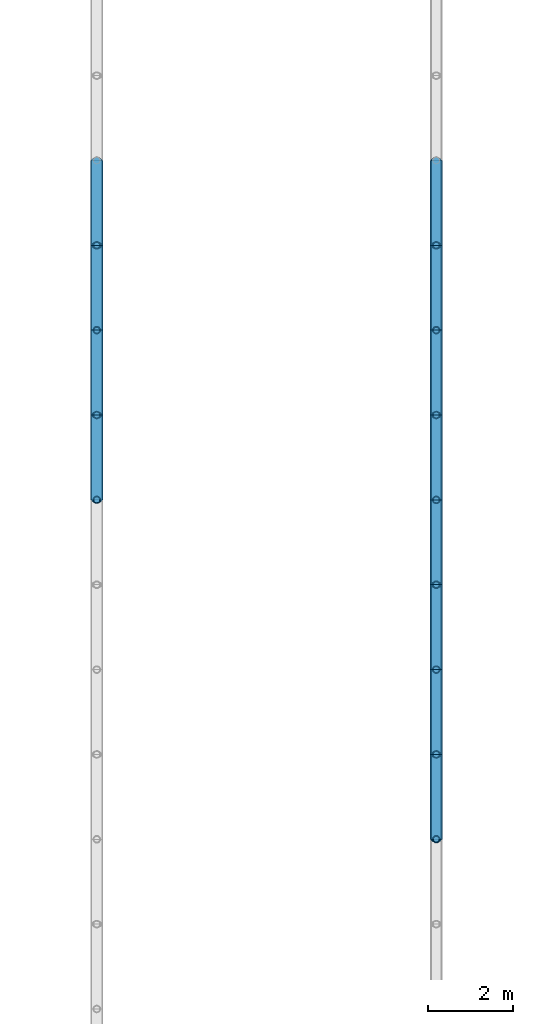
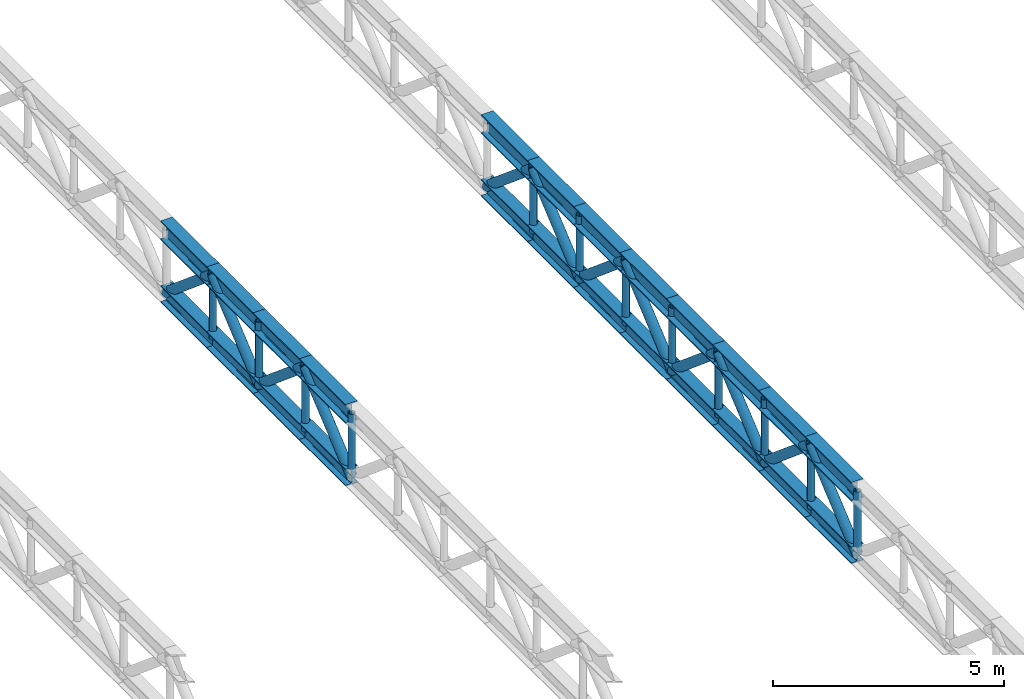
# One storey, part 17 of 67: 48 members.
"""IFC4 building model written with IfcOpenShell, lengths in metres."""

from ifc_helpers import new_model, si_unit, derived_unit, direction, frame, origin, origin_2d, place, context, subcontext, project, spatial, hollow_circle, i_section, extrude, material, material_profile, profile_set, type_object, element, save


model = new_model("IFC4")

# Units and contexts
model_context = context("Model", 3, precision=1e-05, world=origin(), true_north=direction((0.0, 1.0)))
body_context = subcontext(model_context, "Body", "Model", "MODEL_VIEW")
ifc_project = project(units=[si_unit("LENGTHUNIT", "METRE"), si_unit("AREAUNIT", "SQUARE_METRE"), si_unit("VOLUMEUNIT", "CUBIC_METRE"), si_unit("PLANEANGLEUNIT", "RADIAN"), si_unit("MASSUNIT", "GRAM", prefix="KILO"), derived_unit("THERMALTRANSMITTANCEUNIT", [(si_unit("POWERUNIT", "WATT"), 1), (si_unit("LENGTHUNIT", "METRE"), -2), (si_unit("THERMODYNAMICTEMPERATUREUNIT", "KELVIN"), -1)])], contexts=[model_context])

# Site, building, storey
site_placement = place(None, origin())
site = spatial("IfcSite", under=ifc_project, at=site_placement, CompositionType="ELEMENT")
building_placement = place(site_placement, origin())
building = spatial("IfcBuilding", under=site, at=building_placement, Name="Keldorne Ridge Multi-Sports Centre", CompositionType="ELEMENT")
storey_placement = place(building_placement, frame((0.0, 0.0, 14.0)))
storey = spatial("IfcBuildingStorey", under=building, at=storey_placement, Name="L03", CompositionType="ELEMENT", Elevation=14.0)

# Members
ifc_material = material(Name="Steel S355", Category="steel")
ifc_material_profile_1 = material_profile(ifc_material, i_section(OverallWidth=0.300048828125, OverallDepth=0.5, WebThickness=0.014404296875, FlangeThickness=0.028076171875, FilletRadius=0.027099609375, at=origin_2d()), Name="HEB 500")
ifc_profile_set_1 = profile_set([ifc_material_profile_1], Name="Steel S355")
member_type_1 = type_object("IfcMemberType", Name="MEM-TC-03", PredefinedType="CHORD", material=ifc_profile_set_1)
for number, where, z_axis, x_axis, name in (
    (1, (120.0, 30.0, 4.110107421875), (0.0, 1.0, 0.0), (-1.0, 0.0, 0.0), "Stacked Courts Warren TRUSS WT-L04-03 top chord 13"),
    (2, (120.0, 32.0, 4.110107421875), (0.0, 1.0, 0.0), (-1.0, 0.0, 0.0), "Stacked Courts Warren TRUSS WT-L04-03 top chord 14"),
    (3, (120.0, 34.0, 4.110107421875), (0.0, 1.0, 0.0), (-1.0, 0.0, 0.0), "Stacked Courts Warren TRUSS WT-L04-03 top chord 15"),
    (4, (120.0, 36.0, 4.110107421875), (0.0, 1.0, 0.0), (-1.0, 0.0, 0.0), "Stacked Courts Warren TRUSS WT-L04-03 top chord 16"),
    (5, (128.0, 22.0, 4.110107421875), (0.0, 1.0, 0.0), (-1.0, 0.0, 0.0), "Stacked Courts Warren TRUSS WT-L04-04 top chord 9"),
    (6, (128.0, 24.0, 4.110107421875), (0.0, 1.0, 0.0), (-1.0, 0.0, 0.0), "Stacked Courts Warren TRUSS WT-L04-04 top chord 10"),
    (7, (128.0, 26.0, 4.110107421875), (0.0, 1.0, 0.0), (-1.0, 0.0, 0.0), "Stacked Courts Warren TRUSS WT-L04-04 top chord 11"),
    (8, (128.0, 28.0, 4.110107421875), (0.0, 1.0, 0.0), (-1.0, 0.0, 0.0), "Stacked Courts Warren TRUSS WT-L04-04 top chord 12"),
    (9, (128.0, 30.0, 4.110107421875), (0.0, 1.0, 0.0), (-1.0, 0.0, 0.0), "Stacked Courts Warren TRUSS WT-L04-04 top chord 13"),
    (10, (128.0, 32.0, 4.110107421875), (0.0, 1.0, 0.0), (-1.0, 0.0, 0.0), "Stacked Courts Warren TRUSS WT-L04-04 top chord 14"),
    (11, (128.0, 34.0, 4.110107421875), (0.0, 1.0, 0.0), (-1.0, 0.0, 0.0), "Stacked Courts Warren TRUSS WT-L04-04 top chord 15"),
    (12, (128.0, 36.0, 4.110107421875), (0.0, 1.0, 0.0), (-1.0, 0.0, 0.0), "Stacked Courts Warren TRUSS WT-L04-04 top chord 16"),
):
    element("IfcMember", number, at=place(storey_placement, frame(where, z_axis=z_axis, x_axis=x_axis)), inside=storey, type_object=member_type_1, Name=name, PredefinedType="CHORD", context=body_context, shape_type="SweptSolid", body=[
        extrude(i_section(OverallWidth=0.300048828125, OverallDepth=0.5, WebThickness=0.014404296875, FlangeThickness=0.028076171875, FilletRadius=0.027099609375, at=origin_2d()), origin(), (0.0, 0.0, 1.0), 2.0),
    ])
ifc_material_profile_2 = material_profile(ifc_material, i_section(OverallWidth=0.300048828125, OverallDepth=0.449951171875, WebThickness=0.013916015625, FlangeThickness=0.02587890625, FilletRadius=0.027099609375, at=origin_2d()), Name="HEB 450")
ifc_profile_set_2 = profile_set([ifc_material_profile_2], Name="Steel S355")
member_type_2 = type_object("IfcMemberType", Name="MEM-TC-04", PredefinedType="CHORD", material=ifc_profile_set_2)
for number, where, z_axis, x_axis, name in (
    (13, (120.0, 30.0, 2.429931640625), (0.0, 1.0, 0.0), (-1.0, 0.0, 0.0), "Stacked Courts Warren TRUSS WT-L04-03 bottom chord 13"),
    (14, (120.0, 32.0, 2.429931640625), (0.0, 1.0, 0.0), (-1.0, 0.0, 0.0), "Stacked Courts Warren TRUSS WT-L04-03 bottom chord 14"),
    (15, (120.0, 34.0, 2.429931640625), (0.0, 1.0, 0.0), (-1.0, 0.0, 0.0), "Stacked Courts Warren TRUSS WT-L04-03 bottom chord 15"),
    (16, (120.0, 36.0, 2.429931640625), (0.0, 1.0, 0.0), (-1.0, 0.0, 0.0), "Stacked Courts Warren TRUSS WT-L04-03 bottom chord 16"),
    (17, (128.0, 22.0, 2.429931640625), (0.0, 1.0, 0.0), (-1.0, 0.0, 0.0), "Stacked Courts Warren TRUSS WT-L04-04 bottom chord 9"),
    (18, (128.0, 24.0, 2.429931640625), (0.0, 1.0, 0.0), (-1.0, 0.0, 0.0), "Stacked Courts Warren TRUSS WT-L04-04 bottom chord 10"),
    (19, (128.0, 26.0, 2.429931640625), (0.0, 1.0, 0.0), (-1.0, 0.0, 0.0), "Stacked Courts Warren TRUSS WT-L04-04 bottom chord 11"),
    (20, (128.0, 28.0, 2.429931640625), (0.0, 1.0, 0.0), (-1.0, 0.0, 0.0), "Stacked Courts Warren TRUSS WT-L04-04 bottom chord 12"),
    (21, (128.0, 30.0, 2.429931640625), (0.0, 1.0, 0.0), (-1.0, 0.0, 0.0), "Stacked Courts Warren TRUSS WT-L04-04 bottom chord 13"),
    (22, (128.0, 32.0, 2.429931640625), (0.0, 1.0, 0.0), (-1.0, 0.0, 0.0), "Stacked Courts Warren TRUSS WT-L04-04 bottom chord 14"),
    (23, (128.0, 34.0, 2.429931640625), (0.0, 1.0, 0.0), (-1.0, 0.0, 0.0), "Stacked Courts Warren TRUSS WT-L04-04 bottom chord 15"),
    (24, (128.0, 36.0, 2.429931640625), (0.0, 1.0, 0.0), (-1.0, 0.0, 0.0), "Stacked Courts Warren TRUSS WT-L04-04 bottom chord 16"),
):
    element("IfcMember", number, at=place(storey_placement, frame(where, z_axis=z_axis, x_axis=x_axis)), inside=storey, type_object=member_type_2, Name=name, PredefinedType="CHORD", context=body_context, shape_type="SweptSolid", body=[
        extrude(i_section(OverallWidth=0.300048828125, OverallDepth=0.449951171875, WebThickness=0.013916015625, FlangeThickness=0.02587890625, FilletRadius=0.027099609375, at=origin_2d()), origin(), (0.0, 0.0, 1.0), 2.0),
    ])
ifc_material_profile_3 = material_profile(ifc_material, hollow_circle(Radius=0.122314453125, WallThickness=0.012451171875, at=origin_2d()), Name="CHS 244.5x12.5")
ifc_profile_set_3 = profile_set([ifc_material_profile_3], Name="Steel S355")
member_type_3 = type_object("IfcMemberType", Name="MEM-TD-02", PredefinedType="BRACE", material=ifc_profile_set_3)
for number, where, z_axis, x_axis, name in (
    (25, (120.0, 30.0, 2.429931640625), (0.0, 0.765671721121, 0.643231541108), (-1.0, 0.0, 0.0), "Stacked Courts Warren TRUSS WT-L04-03 diagonal 13"),
    (26, (120.0, 32.0, 4.110107421875), (0.0, 0.765671721121, -0.643231541108), (-1.0, 0.0, 0.0), "Stacked Courts Warren TRUSS WT-L04-03 diagonal 14"),
    (27, (120.0, 34.0, 2.429931640625), (0.0, 0.765671721121, 0.643231541108), (-1.0, 0.0, 0.0), "Stacked Courts Warren TRUSS WT-L04-03 diagonal 15"),
    (28, (120.0, 36.0, 4.110107421875), (0.0, 0.765671721121, -0.643231541108), (-1.0, 0.0, 0.0), "Stacked Courts Warren TRUSS WT-L04-03 diagonal 16"),
    (29, (128.0, 22.0, 2.429931640625), (0.0, 0.765671721121, 0.643231541108), (-1.0, 0.0, 0.0), "Stacked Courts Warren TRUSS WT-L04-04 diagonal 9"),
    (30, (128.0, 24.0, 4.110107421875), (0.0, 0.765671721121, -0.643231541108), (-1.0, 0.0, 0.0), "Stacked Courts Warren TRUSS WT-L04-04 diagonal 10"),
    (31, (128.0, 26.0, 2.429931640625), (0.0, 0.765671721121, 0.643231541108), (-1.0, 0.0, 0.0), "Stacked Courts Warren TRUSS WT-L04-04 diagonal 11"),
    (32, (128.0, 28.0, 4.110107421875), (0.0, 0.765671721121, -0.643231541108), (-1.0, 0.0, 0.0), "Stacked Courts Warren TRUSS WT-L04-04 diagonal 12"),
    (33, (128.0, 30.0, 2.429931640625), (0.0, 0.765671721121, 0.643231541108), (-1.0, 0.0, 0.0), "Stacked Courts Warren TRUSS WT-L04-04 diagonal 13"),
    (34, (128.0, 32.0, 4.110107421875), (0.0, 0.765671721121, -0.643231541108), (-1.0, 0.0, 0.0), "Stacked Courts Warren TRUSS WT-L04-04 diagonal 14"),
    (35, (128.0, 34.0, 2.429931640625), (0.0, 0.765671721121, 0.643231541108), (-1.0, 0.0, 0.0), "Stacked Courts Warren TRUSS WT-L04-04 diagonal 15"),
    (36, (128.0, 36.0, 4.110107421875), (0.0, 0.765671721121, -0.643231541108), (-1.0, 0.0, 0.0), "Stacked Courts Warren TRUSS WT-L04-04 diagonal 16"),
):
    element("IfcMember", number, at=place(storey_placement, frame(where, z_axis=z_axis, x_axis=x_axis)), inside=storey, type_object=member_type_3, Name=name, PredefinedType="BRACE", context=body_context, shape_type="SweptSolid", body=[
        extrude(hollow_circle(Radius=0.122314453125, WallThickness=0.012451171875, at=origin_2d()), origin(), (0.0, 0.0, 1.0), 2.612060546875),
    ])
ifc_material_profile_4 = material_profile(ifc_material, hollow_circle(Radius=0.084228515625, WallThickness=0.010009765625, at=origin_2d()), Name="CHS 168.3x10")
ifc_profile_set_4 = profile_set([ifc_material_profile_4], Name="Steel S355")
member_type_4 = type_object("IfcMemberType", Name="MEM-TV-01", PredefinedType="STRUT", material=ifc_profile_set_4)
for number, where, z_axis, x_axis, name in (
    (37, (120.0, 30.0, 2.429931640625), (0.0, 0.0, 1.0), (1.0, 0.0, 0.0), "Stacked Courts Warren TRUSS WT-L04-03 post 13"),
    (38, (120.0, 32.0, 2.429931640625), (0.0, 0.0, 1.0), (1.0, 0.0, 0.0), "Stacked Courts Warren TRUSS WT-L04-03 post 14"),
    (39, (120.0, 34.0, 2.429931640625), (0.0, 0.0, 1.0), (1.0, 0.0, 0.0), "Stacked Courts Warren TRUSS WT-L04-03 post 15"),
    (40, (120.0, 36.0, 2.429931640625), (0.0, 0.0, 1.0), (1.0, 0.0, 0.0), "Stacked Courts Warren TRUSS WT-L04-03 post 16"),
    (41, (128.0, 22.0, 2.429931640625), (0.0, 0.0, 1.0), (1.0, 0.0, 0.0), "Stacked Courts Warren TRUSS WT-L04-04 post 9"),
    (42, (128.0, 24.0, 2.429931640625), (0.0, 0.0, 1.0), (1.0, 0.0, 0.0), "Stacked Courts Warren TRUSS WT-L04-04 post 10"),
    (43, (128.0, 26.0, 2.429931640625), (0.0, 0.0, 1.0), (1.0, 0.0, 0.0), "Stacked Courts Warren TRUSS WT-L04-04 post 11"),
    (44, (128.0, 28.0, 2.429931640625), (0.0, 0.0, 1.0), (1.0, 0.0, 0.0), "Stacked Courts Warren TRUSS WT-L04-04 post 12"),
    (45, (128.0, 30.0, 2.429931640625), (0.0, 0.0, 1.0), (1.0, 0.0, 0.0), "Stacked Courts Warren TRUSS WT-L04-04 post 13"),
    (46, (128.0, 32.0, 2.429931640625), (0.0, 0.0, 1.0), (1.0, 0.0, 0.0), "Stacked Courts Warren TRUSS WT-L04-04 post 14"),
    (47, (128.0, 34.0, 2.429931640625), (0.0, 0.0, 1.0), (1.0, 0.0, 0.0), "Stacked Courts Warren TRUSS WT-L04-04 post 15"),
    (48, (128.0, 36.0, 2.429931640625), (0.0, 0.0, 1.0), (1.0, 0.0, 0.0), "Stacked Courts Warren TRUSS WT-L04-04 post 16"),
):
    element("IfcMember", number, at=place(storey_placement, frame(where, z_axis=z_axis, x_axis=x_axis)), inside=storey, type_object=member_type_4, Name=name, PredefinedType="STRUT", context=body_context, shape_type="SweptSolid", body=[
        extrude(hollow_circle(Radius=0.084228515625, WallThickness=0.010009765625, at=origin_2d()), origin(), (0.0, 0.0, 1.0), 1.68017578125),
    ])

save(model, "model.ifc")
